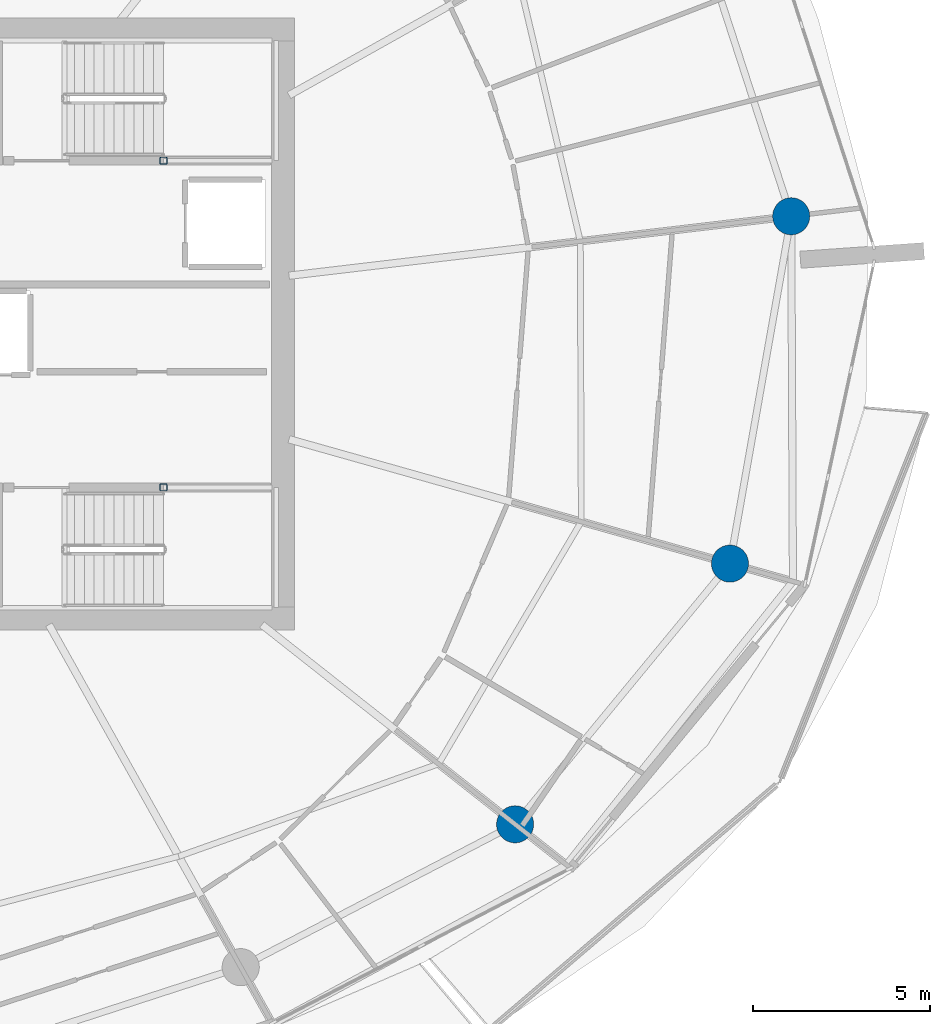
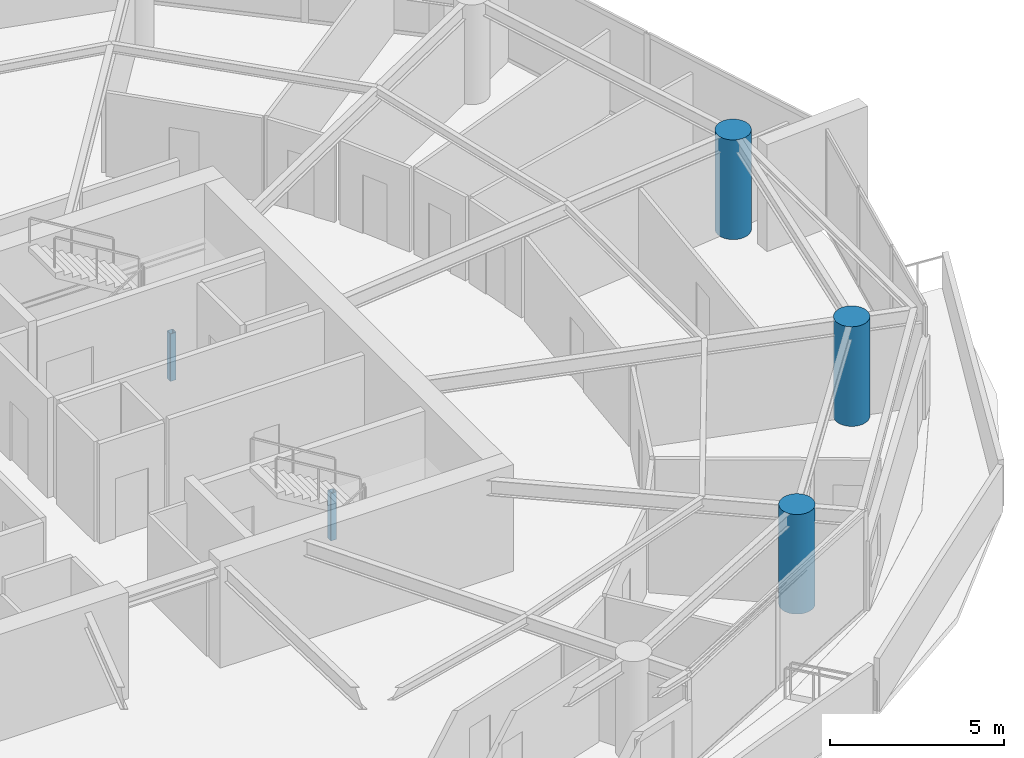
# One storey, part 3 of 21: 5 columns.
"""IFC4 building model written with IfcOpenShell, lengths in metres."""

from ifc_helpers import new_model, si_unit, direction, frame, origin, origin_2d, place, context, subcontext, project, spatial, hollow_rectangle, circle, extrude, material, material_profile, profile_set, type_object, element, save


model = new_model("IFC4")

# Units and contexts
model_context = context("Model", 3, precision=1e-05, world=origin(), true_north=direction((0.0, 1.0)))
body_context = subcontext(model_context, "Body", "Model", "MODEL_VIEW")
ifc_project = project(units=[si_unit("LENGTHUNIT", "METRE"), si_unit("AREAUNIT", "SQUARE_METRE"), si_unit("VOLUMEUNIT", "CUBIC_METRE"), si_unit("PLANEANGLEUNIT", "RADIAN"), si_unit("MASSUNIT", "GRAM", prefix="KILO")], contexts=[model_context])

# Site, building, storey
site_placement = place(None, origin())
site = spatial("IfcSite", under=ifc_project, at=site_placement, CompositionType="ELEMENT")
building_placement = place(site_placement, origin())
building = spatial("IfcBuilding", under=site, at=building_placement, Name="Kazma Halo Residences", CompositionType="ELEMENT")
storey_placement = place(building_placement, frame((0.0, 0.0, 191.550048828125)))
storey = spatial("IfcBuildingStorey", under=building, at=storey_placement, Name="L48", CompositionType="ELEMENT", Elevation=191.550048828125)

# Columns
ifc_material_1 = material(Name="Steel S355", Category="steel")
ifc_material_profile_1 = material_profile(ifc_material_1, hollow_rectangle(XDim=0.199951171875, YDim=0.199951171875, WallThickness=0.010009765625, InnerFilletRadius=0.010009765625, OuterFilletRadius=0.02001953125, at=origin_2d()), Name="SHS200x200x10")
ifc_profile_set_1 = profile_set([ifc_material_profile_1], Name="Steel S355")
column_type_1 = type_object("IfcColumnType", Name="COL-LP-SHS200", PredefinedType="COLUMN", material=ifc_profile_set_1)
for number, where, z_axis, x_axis, name in (
    (1, (56.0, 46.6201171875, 0.0), (0.0, 0.0, 1.0), (1.0, 0.0, 0.0), "L48 ST-02 landing pilaster 1"),
    (2, (56.0, 37.3798828125, 0.0), (0.0, 0.0, 1.0), (1.0, 0.0, 0.0), "L48 ST-03 landing pilaster 1"),
):
    element("IfcColumn", number, at=place(storey_placement, frame(where, z_axis=z_axis, x_axis=x_axis)), inside=storey, type_object=column_type_1, Name=name, PredefinedType="COLUMN", context=body_context, shape_type="SweptSolid", body=[
        extrude(hollow_rectangle(XDim=0.199951171875, YDim=0.199951171875, WallThickness=0.010009765625, InnerFilletRadius=0.010009765625, OuterFilletRadius=0.02001953125, at=origin_2d()), origin(), (0.0, 0.0, 1.0), 1.669921875),
    ])
ifc_material_2 = material(Name="Concrete C80/95", Category="concrete")
ifc_material_profile_2 = material_profile(ifc_material_2, circle(Radius=0.52490234375, at=origin_2d()), Name="CIRC1050")
ifc_profile_set_2 = profile_set([ifc_material_profile_2], Name="Concrete C80/95")
column_type_2 = type_object("IfcColumnType", Name="COL-PERIM-1050", PredefinedType="COLUMN", material=ifc_profile_set_2)
for number, where, z_axis, x_axis, name in (
    (3, (65.944091796875, 27.85400390625, 0.0), (0.0, 0.0, 1.0), (1.0, 0.0, 0.0), "L48 perimeter ring column P14"),
    (4, (72.019775390625, 35.2255859375, 0.0), (0.0, 0.0, 1.0), (1.0, 0.0, 0.0), "L48 perimeter ring column P15"),
    (5, (73.751708984375, 45.0478515625, 0.0), (0.0, 0.0, 1.0), (1.0, 0.0, 0.0), "L48 perimeter ring column P16"),
):
    element("IfcColumn", number, at=place(storey_placement, frame(where, z_axis=z_axis, x_axis=x_axis)), inside=storey, type_object=column_type_2, Name=name, PredefinedType="COLUMN", context=body_context, shape_type="SweptSolid", body=[
        extrude(circle(Radius=0.52490234375, at=origin_2d()), origin(), (0.0, 0.0, 1.0), 3.5),
    ])

save(model, "model.ifc")
